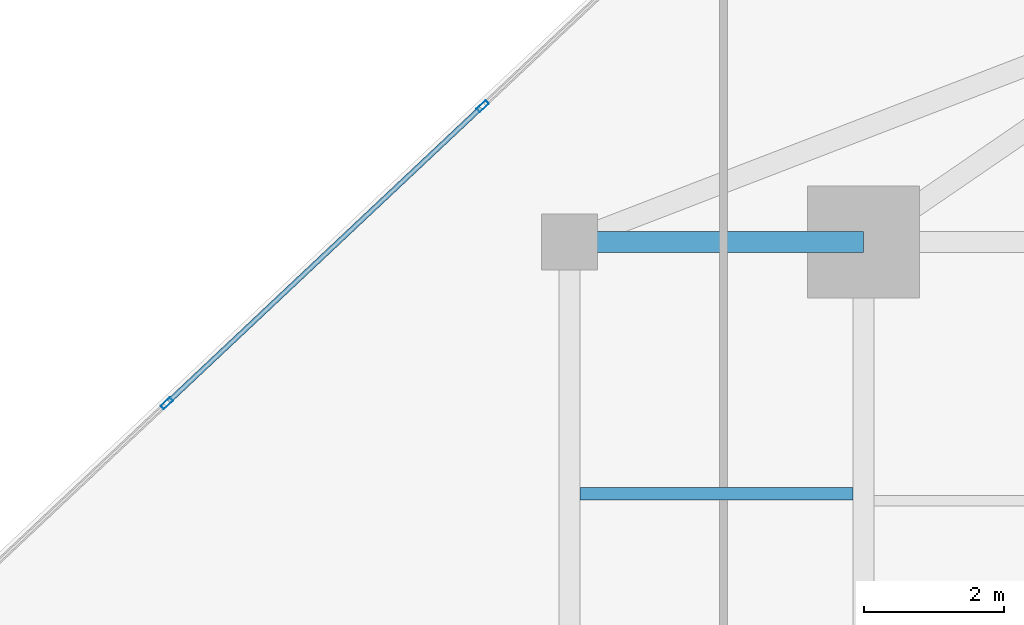
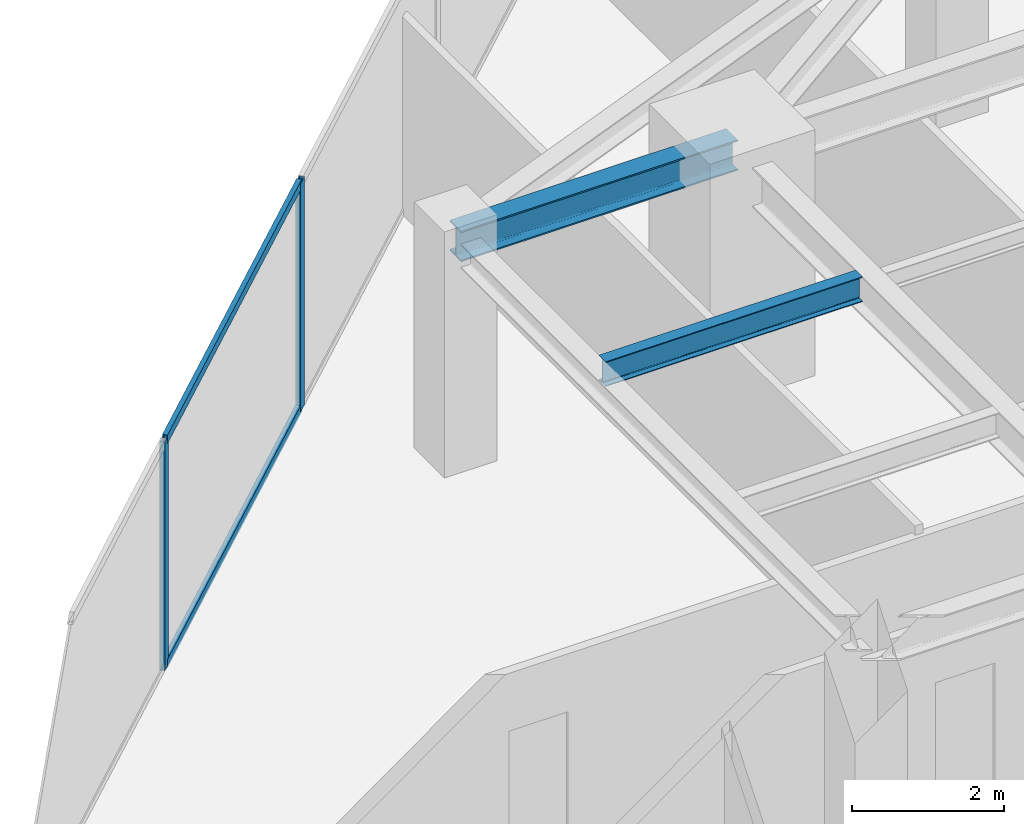
# One storey, part 13 of 24: 4 members, 2 beams, 1 element without a shape of its own.
"""IFC4 building model written with IfcOpenShell, lengths in metres."""

import ifcopenshell
import ifcopenshell.guid

model = None  # the IFC model being written
_history = None  # IfcOwnerHistory: only IFC2X3 demands one
_inside = {}  # id of a spatial element -> (the spatial element, [elements in it])
_under = {}  # id of a project, library or spatial element -> (it, [spatial elements below it])
_declared = {}  # id of a project -> (the project, [libraries it declares])
_typed = {}  # id of a type object -> (the type object, [elements of that type])
_made_of = {}  # id of a material, layer set ... -> (it, [elements and type objects made of it])


def new_model(schema):
    """Start an empty IFC model of exactly this schema.

    Asked for "IFC4X3", IfcOpenShell would pick the latest addendum, in which some entities
    have other attributes; the version numbers below select the first issue.
    IFC2X3 requires an IfcOwnerHistory on every rooted entity: one is made here for all.
    """
    global model, _history
    if schema == "IFC4X3":
        model = ifcopenshell.file(schema_version=(4, 3, 0, 0))
    else:
        model = ifcopenshell.file(schema=schema)
    _inside.clear()
    _under.clear()
    _declared.clear()
    _typed.clear()
    _made_of.clear()
    _history = None
    if model.schema == "IFC2X3":
        org = make("IfcOrganization", Name="unknown")
        user = make(
            "IfcPersonAndOrganization",
            ThePerson=make("IfcPerson", FamilyName="unknown"),
            TheOrganization=org,
        )
        app = make(
            "IfcApplication",
            ApplicationDeveloper=org,
            Version="unknown",
            ApplicationFullName="unknown",
            ApplicationIdentifier="unknown",
        )
        _history = make(
            "IfcOwnerHistory",
            OwningUser=user,
            OwningApplication=app,
            ChangeAction="ADDED",
            CreationDate=0,
        )
    return model


def make(cls, **values):
    """One entity of the class cls with the attributes given. An attribute that is None is left unset."""
    return model.create_entity(
        cls, **{name: value for name, value in values.items() if value is not None}
    )


def rooted(cls, **values):
    """An entity with a GlobalId (a new one), such as an element, a storey or a relation."""
    return make(cls, GlobalId=ifcopenshell.guid.new(), OwnerHistory=_history, **values)


def si_unit(unit_type, name, prefix=None):
    """IfcSIUnit, for example si_unit("LENGTHUNIT", "METRE", prefix="MILLI")."""
    return make("IfcSIUnit", UnitType=unit_type, Prefix=prefix, Name=name)


def assignment(units):
    """IfcUnitAssignment: the units of a project."""
    return None if units is None else make("IfcUnitAssignment", Units=units)


def point(xyz):
    """IfcCartesianPoint."""
    return None if xyz is None else make("IfcCartesianPoint", Coordinates=xyz)


def direction(xyz):
    """IfcDirection."""
    return None if xyz is None else make("IfcDirection", DirectionRatios=xyz)


def frame(location, z_axis=None, x_axis=None):
    """IfcAxis2Placement3D, a coordinate frame: its origin and axes. An axis left out is left unset."""
    return make(
        "IfcAxis2Placement3D",
        Location=point(location),
        Axis=direction(z_axis),
        RefDirection=direction(x_axis),
    )


def frame_2d(location, x_axis=None):
    """IfcAxis2Placement2D, a coordinate frame in the plane: its origin and x axis."""
    return make(
        "IfcAxis2Placement2D", Location=point(location), RefDirection=direction(x_axis)
    )


def origin():
    """The frame at (0, 0, 0) with its axes left unset."""
    return frame((0.0, 0.0, 0.0))


def origin_2d():
    """The frame at (0, 0) in the plane with its x axis left unset."""
    return frame_2d((0.0, 0.0))


def place(relative_to, where):
    """IfcLocalPlacement: puts the frame where relative to a parent placement (None: the world)."""
    return make(
        "IfcLocalPlacement", PlacementRelTo=relative_to, RelativePlacement=where
    )


def context(
    kind, dimensions, precision=None, world=None, true_north=None, identifier=None
):
    """IfcGeometricRepresentationContext, for example the 3D "Model" context."""
    return make(
        "IfcGeometricRepresentationContext",
        ContextIdentifier=identifier,
        ContextType=kind,
        CoordinateSpaceDimension=dimensions,
        Precision=precision,
        WorldCoordinateSystem=world,
        TrueNorth=true_north,
    )


def subcontext(parent, identifier, kind, view, scale=None):
    """IfcGeometricRepresentationSubContext, for example "Body" below "Model"."""
    return make(
        "IfcGeometricRepresentationSubContext",
        ContextIdentifier=identifier,
        ContextType=kind,
        ParentContext=parent,
        TargetScale=scale,
        TargetView=view,
    )


def project(units=None, contexts=None):
    """IfcProject with its units and contexts."""
    return rooted(
        "IfcProject",
        Name="project",
        RepresentationContexts=contexts,
        UnitsInContext=assignment(units),
    )


def spatial(cls, under=None, at=None, **own):
    """A site, building, storey or space (cls), placed at a placement, below another one or the project."""
    s = rooted(cls, ObjectPlacement=at, **own)
    if under is not None:
        _under.setdefault(under.id(), (under, []))[1].append(s)
    return s


def profile(cls, at=None, kind="AREA", **sizes):
    """A parametric profile (cls). Its sizes go by their IFC names, for example OverallWidth=200.0."""
    return make(cls, ProfileType=kind, Position=at, **sizes)


def hollow_rectangle(**sizes):
    """IfcRectangleHollowProfileDef."""
    return profile("IfcRectangleHollowProfileDef", **sizes)


def i_section(**sizes):
    """IfcIShapeProfileDef."""
    return profile("IfcIShapeProfileDef", **sizes)


def extrude(swept, where, along, depth):
    """IfcExtrudedAreaSolid: the profile swept, set in the frame where, extruded along a direction by depth."""
    return make(
        "IfcExtrudedAreaSolid",
        SweptArea=swept,
        Position=where,
        ExtrudedDirection=direction(along),
        Depth=depth,
    )


def shape(context_of_items, identifier, shape_type, items):
    """IfcShapeRepresentation: the items that make up one representation, for example the "Body"."""
    return make(
        "IfcShapeRepresentation",
        ContextOfItems=context_of_items,
        RepresentationIdentifier=identifier,
        RepresentationType=shape_type,
        Items=items,
    )


def source(mapping_origin, context_of_items, identifier, shape_type, items):
    """IfcRepresentationMap: a shape defined once, which mapped items show again and again."""
    return make(
        "IfcRepresentationMap",
        MappingOrigin=mapping_origin,
        MappedRepresentation=shape(context_of_items, identifier, shape_type, items),
    )


def transform(
    local_origin,
    x_axis=None,
    y_axis=None,
    z_axis=None,
    scale=None,
    scale2=None,
    scale3=None,
    uniform=True,
):
    """IfcCartesianTransformationOperator3D, or its non-uniform kind. x_axis, y_axis, z_axis: its Axis1, 2, 3."""
    if uniform:
        return make(
            "IfcCartesianTransformationOperator3D",
            Axis1=direction(x_axis),
            Axis2=direction(y_axis),
            LocalOrigin=point(local_origin),
            Scale=scale,
            Axis3=direction(z_axis),
        )
    return make(
        "IfcCartesianTransformationOperator3DnonUniform",
        Axis1=direction(x_axis),
        Axis2=direction(y_axis),
        LocalOrigin=point(local_origin),
        Scale=scale,
        Axis3=direction(z_axis),
        Scale2=scale2,
        Scale3=scale3,
    )


def mapped(mapping_source, mapping_target):
    """IfcMappedItem: shows the shape of a source again, moved by a transform."""
    return make(
        "IfcMappedItem", MappingSource=mapping_source, MappingTarget=mapping_target
    )


def material(Name=None, Category=None):
    """IfcMaterial."""
    return make("IfcMaterial", Name=Name, Category=Category)


def material_profile(
    of_material, cross_section, Name=None, Category=None, Priority=None
):
    """IfcMaterialProfile: a cross section and its material."""
    return make(
        "IfcMaterialProfile",
        Name=Name,
        Material=of_material,
        Profile=cross_section,
        Priority=Priority,
        Category=Category,
    )


def profile_set(profiles, Name=None, composite=None):
    """IfcMaterialProfileSet."""
    return make(
        "IfcMaterialProfileSet",
        Name=Name,
        MaterialProfiles=profiles,
        CompositeProfile=composite,
    )


def made_of(thing, what):
    """Note that an element or type object is made of a material, layer set ...; save() writes the relation."""
    if what is not None:
        _made_of.setdefault(what.id(), (what, []))[1].append(thing)
    return thing


def type_object(cls, material=None, **own):
    """A type object (cls), such as IfcWallType, which elements share."""
    return made_of(rooted(cls, **own), material)


def type_shapes(of_type, sources):
    """Give a type object the sources (RepresentationMaps) that its elements show as mapped items."""
    of_type.RepresentationMaps = sources


def element(
    cls,
    number,
    at=None,
    inside=None,
    cuts=None,
    type_object=None,
    material=None,
    context=None,
    identifier="Body",
    shape_type=None,
    held_by="IfcProductDefinitionShape",
    body=None,
    shapes=None,
    **own,
):
    """One element of the class cls, such as IfcWall. Its Tag is "e" and its number.

    at: its placement. inside: the storey or other place that contains it. cuts: it is an
    opening in that element (IfcRelVoidsElement). A single representation is given by context,
    identifier, shape_type and body (its items); several are given by shapes. held_by: the class
    of the entity that holds the representations. save() writes the other relations.
    """
    e = rooted(cls, Tag="e%d" % number, ObjectPlacement=at, **own)
    if body is not None:
        shapes = [shape(context, identifier, shape_type, body)]
    if shapes is not None:
        e.Representation = make(held_by, Representations=shapes)
    if inside is not None:
        _inside.setdefault(inside.id(), (inside, []))[1].append(e)
    if cuts is not None:
        rooted(
            "IfcRelVoidsElement", RelatingBuildingElement=cuts, RelatedOpeningElement=e
        )
    if type_object is not None:
        _typed.setdefault(type_object.id(), (type_object, []))[1].append(e)
    return made_of(e, material)


def aggregate(whole, parts):
    """IfcRelAggregates: a whole, such as a stair, and the parts it consists of."""
    return rooted("IfcRelAggregates", RelatingObject=whole, RelatedObjects=parts)


def save(model, path):
    """Write the relations noted so far, then the file.

    IfcRelAggregates (storeys below a building ...), IfcRelContainedInSpatialStructure (elements
    in a storey), IfcRelDefinesByType, IfcRelAssociatesMaterial and IfcRelDeclares: one each for
    every whole, place, type object, material and project.
    """
    for whole, parts in _under.values():
        aggregate(whole, parts)
    for where, things in _inside.values():
        rooted(
            "IfcRelContainedInSpatialStructure",
            RelatedElements=things,
            RelatingStructure=where,
        )
    for kind, things in _typed.values():
        rooted("IfcRelDefinesByType", RelatedObjects=things, RelatingType=kind)
    for what, things in _made_of.values():
        rooted("IfcRelAssociatesMaterial", RelatedObjects=things, RelatingMaterial=what)
    for by, libraries in _declared.values():
        rooted("IfcRelDeclares", RelatingContext=by, RelatedDefinitions=libraries)
    model.write(path)


model = new_model("IFC4")

# Units and contexts
model_context = context("Model", 3, precision=1e-05, world=origin(), true_north=direction((0.0, 1.0)))
body_context = subcontext(model_context, "Body", "Model", "MODEL_VIEW")
ifc_project = project(units=[si_unit("LENGTHUNIT", "METRE"), si_unit("AREAUNIT", "SQUARE_METRE"), si_unit("VOLUMEUNIT", "CUBIC_METRE"), si_unit("PLANEANGLEUNIT", "RADIAN"), si_unit("MASSUNIT", "GRAM", prefix="KILO")], contexts=[model_context])

# Site, building, storey
site_placement = place(None, origin())
site = spatial("IfcSite", under=ifc_project, at=site_placement, CompositionType="ELEMENT")
building_placement = place(site_placement, origin())
building = spatial("IfcBuilding", under=site, at=building_placement, Name="Krantzveldt Concourse Tower", CompositionType="ELEMENT")
storey_placement = place(building_placement, frame((0.0, 0.0, 246.800048828125)))
storey = spatial("IfcBuildingStorey", under=building, at=storey_placement, Name="L60", CompositionType="ELEMENT", Elevation=246.800048828125)

# Beams
ifc_material_1 = material(Name="Steel S355JR", Category="steel")
ifc_material_profile_1 = material_profile(ifc_material_1, i_section(OverallWidth=0.300048828125, OverallDepth=0.489990234375, WebThickness=0.011962890625, FlangeThickness=0.02294921875, FilletRadius=0.027099609375, at=origin_2d()), Name="Steel S355JR", Category="steel")
ifc_profile_set_1 = profile_set([ifc_material_profile_1], Name="Steel S355JR - HEA 500")
beam_type_1 = type_object("IfcBeamType", Name="BM-B-HEA500", PredefinedType="BEAM", material=ifc_profile_set_1)
shared_shape_1 = source(origin(), body_context, "Body", "SweptSolid", [
    extrude(i_section(OverallWidth=0.300048828125, OverallDepth=0.489990234375, WebThickness=0.011962890625, FlangeThickness=0.02294921875, FilletRadius=0.027099609375, at=origin_2d()), origin(), (0.0, 0.0, 1.0), 4.199951171875),
])
type_shapes(beam_type_1, [shared_shape_1])
beam_1_placement = place(storey_placement, frame((21.0, 37.5, 3.425048828125), z_axis=(1.0, 0.0, 0.0), x_axis=(0.0, 1.0, 0.0)))
element("IfcBeam", 1, at=beam_1_placement, inside=storey, type_object=beam_type_1, Name="L60 Tower Girder BR-RL3", PredefinedType="BEAM", context=body_context, shape_type="MappedRepresentation", body=[
    mapped(shared_shape_1, transform((0.0, 0.0, 0.0), x_axis=(1.0, 0.0, 0.0), y_axis=(0.0, 1.0, 0.0), z_axis=(0.0, 0.0, 1.0), scale=1.0)),
])
ifc_material_profile_2 = material_profile(ifc_material_1, i_section(OverallWidth=0.179931640625, OverallDepth=0.39990234375, WebThickness=0.008544921875, FlangeThickness=0.013427734375, FilletRadius=0.02099609375, at=origin_2d()), Name="Steel S355JR", Category="steel")
ifc_profile_set_2 = profile_set([ifc_material_profile_2], Name="Steel S355JR - IPE 400")
beam_type_2 = type_object("IfcBeamType", Name="BM-J-IPE400", PredefinedType="JOIST", material=ifc_profile_set_2)
shared_shape_2 = source(origin(), body_context, "Body", "SweptSolid", [
    extrude(i_section(OverallWidth=0.179931640625, OverallDepth=0.39990234375, WebThickness=0.008544921875, FlangeThickness=0.013427734375, FilletRadius=0.02099609375, at=origin_2d()), origin(), (0.0, 0.0, 1.0), 3.900146484375),
])
type_shapes(beam_type_2, [shared_shape_2])
beam_2_placement = place(storey_placement, frame((21.14990234375, 33.89990234375, 3.469970703125), z_axis=(1.0, 0.0, 0.0), x_axis=(0.0, 1.0, 0.0)))
element("IfcBeam", 2, at=beam_2_placement, inside=storey, type_object=beam_type_2, Name="L60 Secondary Floor Joist JW-4", PredefinedType="JOIST", context=body_context, shape_type="MappedRepresentation", body=[
    mapped(shared_shape_2, transform((0.0, 0.0, 0.0), x_axis=(1.0, 0.0, 0.0), y_axis=(0.0, 1.0, 0.0), z_axis=(0.0, 0.0, 1.0), scale=1.0)),
])

# Curtain wall, members
ifc_material_2 = material(Name="Anodised aluminium 6063-T6", Category="aluminium")
curtain_wall_type = type_object("IfcCurtainWallType", Name="CW3", PredefinedType="USERDEFINED", material=ifc_material_2)
curtain_wall_placement = place(storey_placement, origin())
curtain_wall = element("IfcCurtainWall", 3, at=curtain_wall_placement, inside=storey, type_object=curtain_wall_type, Name="CW-L60-F01", ObjectType="UNITISED CURTAIN WALL", PredefinedType="USERDEFINED")
ifc_material_profile_3 = material_profile(ifc_material_2, hollow_rectangle(XDim=0.070068359375, YDim=0.179931640625, WallThickness=0.0048828125, at=origin_2d()), Name="Anodised aluminium 6063-T6", Category="aluminium")
ifc_profile_set_3 = profile_set([ifc_material_profile_3], Name="Anodised aluminium 6063-T6 - ALU-MULL 180x70x5")
member_type_1 = type_object("IfcMemberType", Name="CW-MUL-180", PredefinedType="MULLION", material=ifc_profile_set_3)
shared_shape_3 = source(origin(), body_context, "Body", "SweptSolid", [
    extrude(hollow_rectangle(XDim=0.070068359375, YDim=0.179931640625, WallThickness=0.0048828125, at=origin_2d()), origin(), (0.0, 0.0, 1.0), 3.669921875),
])
type_shapes(member_type_1, [shared_shape_3])
member_1_placement = place(storey_placement, frame((19.757568359375, 39.44189453125, 0.0), z_axis=(0.0, 0.0, 1.0), x_axis=(0.685182945184, -0.728371012348, 0.0)))
member_1 = element("IfcMember", 4, at=member_1_placement, type_object=member_type_1, Name="CW-Z34 mullion 4", PredefinedType="MULLION", context=body_context, shape_type="MappedRepresentation", body=[
    mapped(shared_shape_3, transform((0.0, 0.0, 0.0), x_axis=(1.0, 0.0, 0.0), y_axis=(0.0, 1.0, 0.0), z_axis=(0.0, 0.0, 1.0), scale=1.0)),
])
member_2_placement = place(storey_placement, frame((15.241455078125, 35.19384765625, 0.0), z_axis=(0.0, 0.0, 1.0), x_axis=(0.685182945184, -0.728371012348, 0.0)))
member_2 = element("IfcMember", 5, at=member_2_placement, type_object=member_type_1, Name="CW-Z34 mullion 5", PredefinedType="MULLION", context=body_context, shape_type="MappedRepresentation", body=[
    mapped(shared_shape_3, transform((0.0, 0.0, 0.0), x_axis=(1.0, 0.0, 0.0), y_axis=(0.0, 1.0, 0.0), z_axis=(0.0, 0.0, 1.0), scale=1.0)),
])
ifc_material_profile_4 = material_profile(ifc_material_2, hollow_rectangle(XDim=0.070068359375, YDim=0.139892578125, WallThickness=0.0048828125, at=origin_2d()), Name="Anodised aluminium 6063-T6", Category="aluminium")
ifc_profile_set_4 = profile_set([ifc_material_profile_4], Name="Anodised aluminium 6063-T6 - ALU-TRAN 140x70x5")
member_type_2 = type_object("IfcMemberType", Name="CW-TRN-150", PredefinedType="USERDEFINED", material=ifc_profile_set_4)
shared_shape_4 = source(origin(), body_context, "Body", "SweptSolid", [
    extrude(hollow_rectangle(XDim=0.070068359375, YDim=0.139892578125, WallThickness=0.0048828125, at=origin_2d()), origin(), (0.0, 0.0, 1.0), 6.1298828125),
])
type_shapes(member_type_2, [shared_shape_4])
member_3_placement = place(storey_placement, frame((19.73193359375, 39.41796875, 0.034912109375), z_axis=(-0.72836366623, -0.685190754255, 0.0), x_axis=(0.685190754255, -0.72836366623, 0.0)))
member_3 = element("IfcMember", 6, at=member_3_placement, type_object=member_type_2, Name="CW-Z34 transom 4.1", ObjectType="TRANSOM", PredefinedType="USERDEFINED", context=body_context, shape_type="MappedRepresentation", body=[
    mapped(shared_shape_4, transform((0.0, 0.0, 0.0), x_axis=(1.0, 0.0, 0.0), y_axis=(0.0, 1.0, 0.0), z_axis=(0.0, 0.0, 1.0), scale=1.0)),
])
member_4_placement = place(storey_placement, frame((19.73193359375, 39.41796875, 3.635009765625), z_axis=(-0.72836366623, -0.685190754255, 0.0), x_axis=(0.685190754255, -0.72836366623, 0.0)))
member_4 = element("IfcMember", 7, at=member_4_placement, type_object=member_type_2, Name="CW-Z34 transom 4.2", ObjectType="TRANSOM", PredefinedType="USERDEFINED", context=body_context, shape_type="MappedRepresentation", body=[
    mapped(shared_shape_4, transform((0.0, 0.0, 0.0), x_axis=(1.0, 0.0, 0.0), y_axis=(0.0, 1.0, 0.0), z_axis=(0.0, 0.0, 1.0), scale=1.0)),
])
aggregate(curtain_wall, [member_1, member_2, member_3, member_4])

save(model, "model.ifc")
